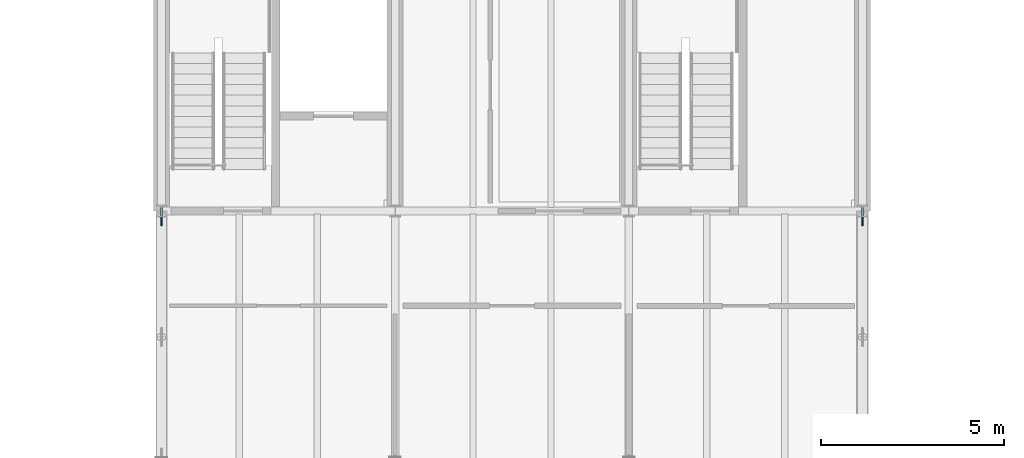
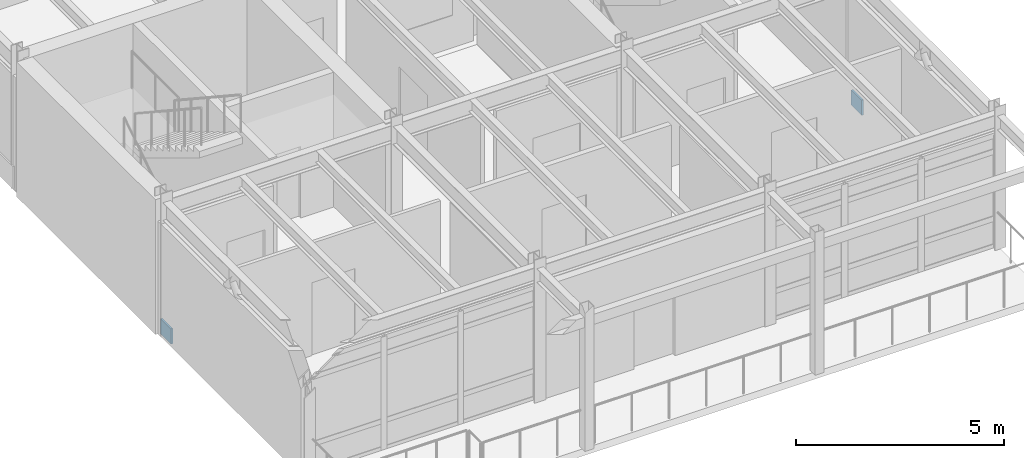
# One storey, part 125 of 144: 2 plates.
"""IFC4 building model written with IfcOpenShell, lengths in metres."""

from ifc_helpers import new_model, si_unit, direction, frame, origin, origin_2d, place, context, subcontext, project, spatial, rectangle, extrude, material, layer, layer_set, type_object, element, save


model = new_model("IFC4")

# Units and contexts
model_context = context("Model", 3, precision=1e-05, world=origin(), true_north=direction((0.0, 1.0)))
body_context = subcontext(model_context, "Body", "Model", "MODEL_VIEW")
ifc_project = project(units=[si_unit("LENGTHUNIT", "METRE"), si_unit("AREAUNIT", "SQUARE_METRE"), si_unit("VOLUMEUNIT", "CUBIC_METRE"), si_unit("PLANEANGLEUNIT", "RADIAN"), si_unit("MASSUNIT", "GRAM", prefix="KILO")], contexts=[model_context])

# Site, building, storey
site_placement = place(None, origin())
site = spatial("IfcSite", under=ifc_project, at=site_placement, CompositionType="ELEMENT")
building_placement = place(site_placement, origin())
building = spatial("IfcBuilding", under=site, at=building_placement, Name="Trelmorton Wharf Fire Station", CompositionType="ELEMENT")
storey_placement = place(building_placement, frame((0.0, 0.0, 5.39990234375)))
storey = spatial("IfcBuildingStorey", under=building, at=storey_placement, Name="L01", CompositionType="ELEMENT", Elevation=5.39990234375)

# Plates
ifc_material = material(Name="Steel Grade 350", Category="steel")
ifc_layer = layer(ifc_material, 0.050048828125)
ifc_layer_set = layer_set([ifc_layer], Name="Steel Grade 350")
plate_type = type_object("IfcPlateType", Name="PL_GUSSET_TN2", PredefinedType="USERDEFINED", material=ifc_layer_set)
for number, where, z_axis, x_axis, name in (
    (1, (70.800048828125, 67.03955078125, -0.10498046875), (0.0, 0.0, 1.0), (1.0, 0.0, 0.0), "PL-CBF-0404"),
    (2, (90.0, 67.03955078125, -0.10498046875), (0.0, 0.0, 1.0), (1.0, 0.0, 0.0), "PL-CBF-0425"),
):
    element("IfcPlate", number, at=place(storey_placement, frame(where, z_axis=z_axis, x_axis=x_axis)), inside=storey, type_object=plate_type, Name=name, ObjectType="GUSSET PLATE", PredefinedType="USERDEFINED", context=body_context, shape_type="SweptSolid", body=[
        extrude(rectangle(XDim=0.050048828125, YDim=0.5, at=origin_2d()), origin(), (0.0, 0.0, 1.0), 0.449951171875),
    ])

save(model, "model.ifc")
